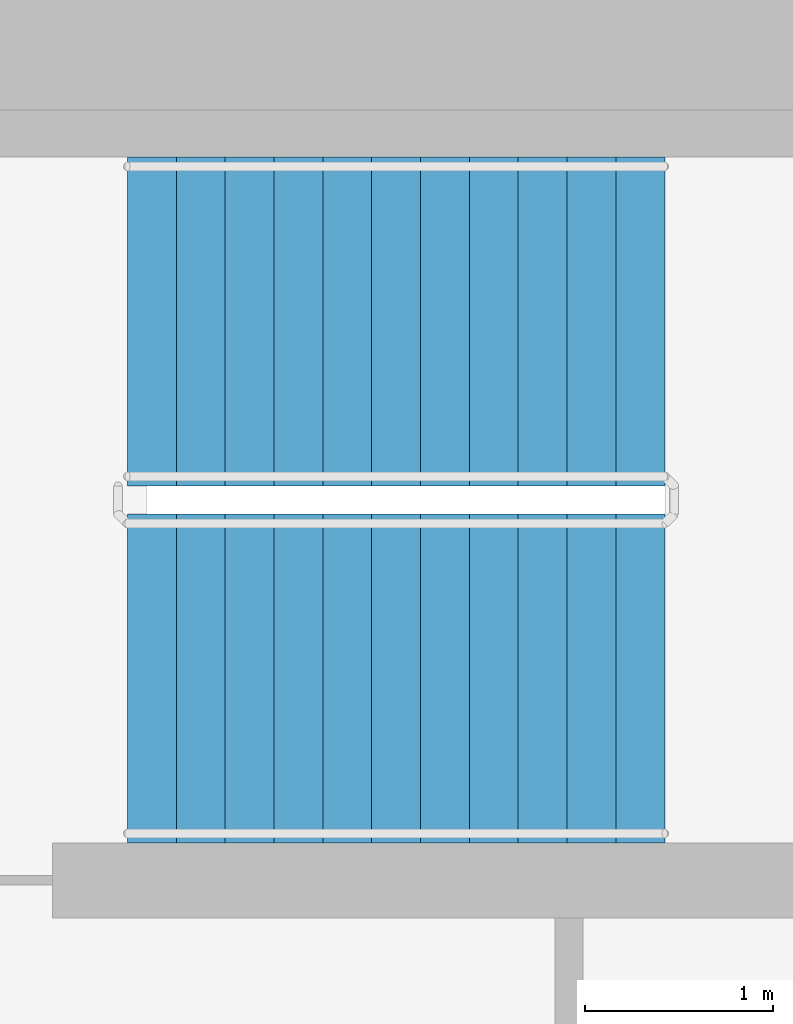
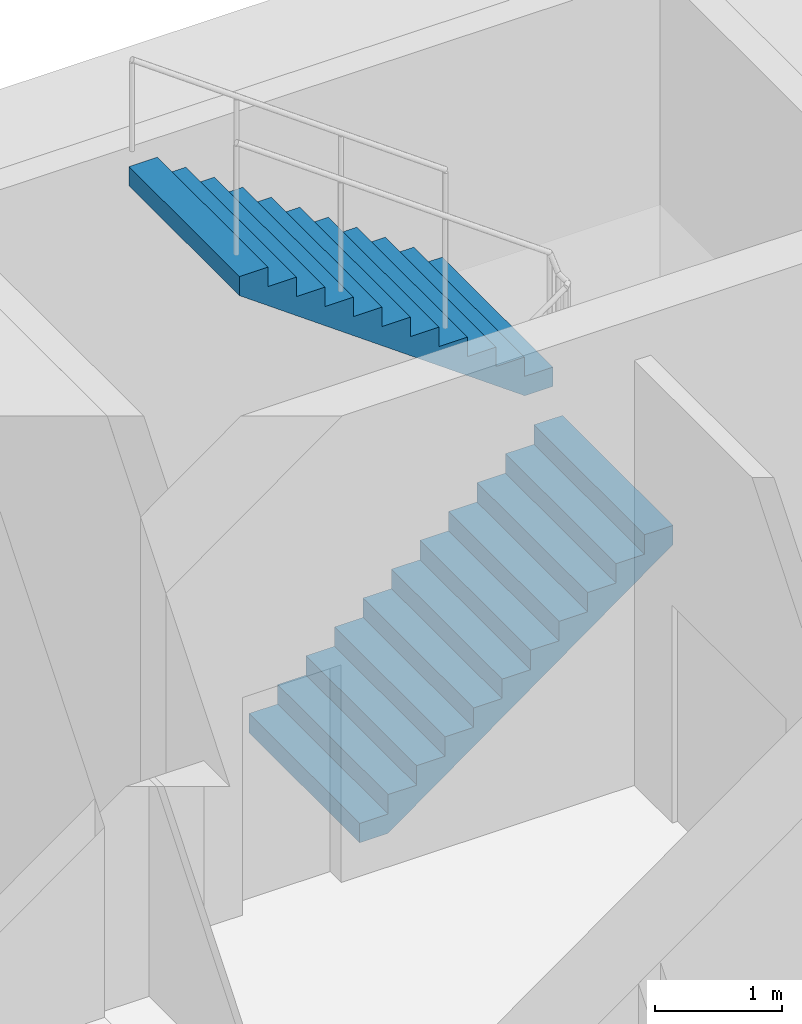
# One storey, part 17 of 20: 2 stair flights, 1 element without a shape of its own.
"""IFC4 building model written with IfcOpenShell, lengths in metres."""

from ifc_helpers import new_model, si_unit, direction, frame, origin, place, context, subcontext, project, spatial, faceted_brep, material, type_object, element, aggregate, save


model = new_model("IFC4")

# Units and contexts
model_context = context("Model", 3, precision=1e-05, world=origin(), true_north=direction((0.0, 1.0)))
body_context = subcontext(model_context, "Body", "Model", "MODEL_VIEW")
ifc_project = project(units=[si_unit("LENGTHUNIT", "METRE"), si_unit("AREAUNIT", "SQUARE_METRE"), si_unit("VOLUMEUNIT", "CUBIC_METRE"), si_unit("PLANEANGLEUNIT", "RADIAN"), si_unit("MASSUNIT", "GRAM", prefix="KILO")], contexts=[model_context])

# Site, building, storey
site_placement = place(None, origin())
site = spatial("IfcSite", under=ifc_project, at=site_placement, CompositionType="ELEMENT")
building_placement = place(site_placement, origin())
building = spatial("IfcBuilding", under=site, at=building_placement, Name="Ipe Terrace Towers", CompositionType="ELEMENT")
storey_placement = place(building_placement, frame((0.0, 0.0, 124.199951171875)))
storey = spatial("IfcBuildingStorey", under=building, at=storey_placement, Name="L34", CompositionType="ELEMENT", Elevation=124.199951171875)

# Stair, stair flights
ifc_material_1 = material(Name="Concrete C30/37", Category="concrete")
stair_type = type_object("IfcStairType", Name="Protected exit stair", PredefinedType="HALF_TURN_STAIR", material=ifc_material_1)
stair_placement = place(storey_placement, origin())
stair = element("IfcStair", 1, at=stair_placement, inside=storey, type_object=stair_type, Name="L34 Exit stair T1-C1", PredefinedType="HALF_TURN_STAIR")
ifc_material_2 = material(Name="Concrete C30/37", Category="concrete")
stair_flight_type = type_object("IfcStairFlightType", Name="Exit stair flight 1750", PredefinedType="STRAIGHT", material=ifc_material_2)
stair_flight_1_placement = place(storey_placement, frame((-26.300048828125, 2.77490234375, 0.0), z_axis=(0.0, 0.0, 1.0), x_axis=(1.0, 0.0, 0.0)))
stair_flight_1 = element("IfcStairFlight", 2, at=stair_flight_1_placement, type_object=stair_flight_type, Name="T1-ST1 flight 1", NumberOfRisers=12, NumberOfTreads=11, PredefinedType="STRAIGHT", RiserHeight=0.1875, TreadLength=0.26, context=body_context, shape_type="Brep", body=[
    faceted_brep([(0.25634765625, -0.875, 0.0), (2.860107421875, -0.875, 1.877685546875), (2.860107421875, -0.875, 2.0625), (2.60009765625, -0.875, 2.0625), (2.60009765625, -0.875, 1.875), (2.340087890625, -0.875, 1.875), (2.340087890625, -0.875, 1.6875), (2.080078125, -0.875, 1.6875), (2.080078125, -0.875, 1.5), (1.820068359375, -0.875, 1.5), (1.820068359375, -0.875, 1.3125), (1.56005859375, -0.875, 1.3125), (1.56005859375, -0.875, 1.125), (1.300048828125, -0.875, 1.125), (1.300048828125, -0.875, 0.9375), (1.0400390625, -0.875, 0.9375), (1.0400390625, -0.875, 0.75), (0.780029296875, -0.875, 0.75), (0.780029296875, -0.875, 0.5625), (0.52001953125, -0.875, 0.5625), (0.52001953125, -0.875, 0.375), (0.260009765625, -0.875, 0.375), (0.260009765625, -0.875, 0.1875), (0.0, -0.875, 0.1875), (0.0, -0.875, 0.0), (0.0, 0.875, 0.0), (0.0, 0.875, 0.1875), (0.260009765625, 0.875, 0.1875), (0.260009765625, 0.875, 0.375), (0.52001953125, 0.875, 0.375), (0.52001953125, 0.875, 0.5625), (0.780029296875, 0.875, 0.5625), (0.780029296875, 0.875, 0.75), (1.0400390625, 0.875, 0.75), (1.0400390625, 0.875, 0.9375), (1.300048828125, 0.875, 0.9375), (1.300048828125, 0.875, 1.125), (1.56005859375, 0.875, 1.125), (1.56005859375, 0.875, 1.3125), (1.820068359375, 0.875, 1.3125), (1.820068359375, 0.875, 1.5), (2.080078125, 0.875, 1.5), (2.080078125, 0.875, 1.6875), (2.340087890625, 0.875, 1.6875), (2.340087890625, 0.875, 1.875), (2.60009765625, 0.875, 1.875), (2.60009765625, 0.875, 2.0625), (2.860107421875, 0.875, 2.0625), (2.860107421875, 0.875, 1.877685546875), (0.25634765625, 0.875, 0.0), (0.0, -0.300048828125, 0.1875), (0.0, -0.1201171875, 0.1875), (0.0, -0.06005859375, 0.1875), (0.0, -0.030029296875, 0.1875), (0.0, -0.010009765625, 0.1875), (0.0, 0.0, 0.1875), (0.0, 0.010009765625, 0.1875), (0.0, 0.030029296875, 0.1875), (0.0, 0.06005859375, 0.1875), (0.0, 0.1201171875, 0.1875), (0.0, 0.300048828125, 0.1875), (0.0, 0.300048828125, 0.0), (0.0, 0.1201171875, 0.0), (0.0, 0.06005859375, 0.0), (0.0, 0.030029296875, 0.0), (0.0, 0.010009765625, 0.0), (0.0, 0.0, 0.0), (0.0, -0.010009765625, 0.0), (0.0, -0.030029296875, 0.0), (0.0, -0.06005859375, 0.0), (0.0, -0.1201171875, 0.0), (0.0, -0.300048828125, 0.0), (0.260009765625, -0.300048828125, 0.1875), (0.260009765625, -0.1201171875, 0.1875), (0.260009765625, -0.06005859375, 0.1875), (0.260009765625, -0.030029296875, 0.1875), (0.260009765625, -0.010009765625, 0.1875), (0.260009765625, 0.0, 0.1875), (0.260009765625, 0.010009765625, 0.1875), (0.260009765625, 0.030029296875, 0.1875), (0.260009765625, 0.06005859375, 0.1875), (0.260009765625, 0.1201171875, 0.1875), (0.260009765625, 0.300048828125, 0.1875), (0.260009765625, -0.300048828125, 0.375), (0.260009765625, -0.1201171875, 0.375), (0.260009765625, -0.06005859375, 0.375), (0.260009765625, -0.030029296875, 0.375), (0.260009765625, -0.010009765625, 0.375), (0.260009765625, 0.0, 0.375), (0.260009765625, 0.010009765625, 0.375), (0.260009765625, 0.030029296875, 0.375), (0.260009765625, 0.06005859375, 0.375), (0.260009765625, 0.1201171875, 0.375), (0.260009765625, 0.300048828125, 0.375), (0.52001953125, -0.300048828125, 0.375), (0.52001953125, -0.1201171875, 0.375), (0.52001953125, -0.06005859375, 0.375), (0.52001953125, -0.030029296875, 0.375), (0.52001953125, -0.010009765625, 0.375), (0.52001953125, 0.0, 0.375), (0.52001953125, 0.010009765625, 0.375), (0.52001953125, 0.030029296875, 0.375), (0.52001953125, 0.06005859375, 0.375), (0.52001953125, 0.1201171875, 0.375), (0.52001953125, 0.300048828125, 0.375), (0.52001953125, -0.300048828125, 0.5625), (0.52001953125, -0.1201171875, 0.5625), (0.52001953125, -0.06005859375, 0.5625), (0.52001953125, -0.030029296875, 0.5625), (0.52001953125, -0.010009765625, 0.5625), (0.52001953125, 0.0, 0.5625), (0.52001953125, 0.010009765625, 0.5625), (0.52001953125, 0.030029296875, 0.5625), (0.52001953125, 0.06005859375, 0.5625), (0.52001953125, 0.1201171875, 0.5625), (0.52001953125, 0.300048828125, 0.5625), (0.780029296875, -0.300048828125, 0.5625), (0.780029296875, -0.1201171875, 0.5625), (0.780029296875, -0.06005859375, 0.5625), (0.780029296875, -0.030029296875, 0.5625), (0.780029296875, -0.010009765625, 0.5625), (0.780029296875, 0.0, 0.5625), (0.780029296875, 0.010009765625, 0.5625), (0.780029296875, 0.030029296875, 0.5625), (0.780029296875, 0.06005859375, 0.5625), (0.780029296875, 0.1201171875, 0.5625), (0.780029296875, 0.300048828125, 0.5625), (0.780029296875, -0.300048828125, 0.75), (0.780029296875, -0.1201171875, 0.75), (0.780029296875, -0.06005859375, 0.75), (0.780029296875, -0.030029296875, 0.75), (0.780029296875, -0.010009765625, 0.75), (0.780029296875, 0.0, 0.75), (0.780029296875, 0.010009765625, 0.75), (0.780029296875, 0.030029296875, 0.75), (0.780029296875, 0.06005859375, 0.75), (0.780029296875, 0.1201171875, 0.75), (0.780029296875, 0.300048828125, 0.75), (1.0400390625, -0.300048828125, 0.75), (1.0400390625, -0.1201171875, 0.75), (1.0400390625, -0.06005859375, 0.75), (1.0400390625, -0.030029296875, 0.75), (1.0400390625, -0.010009765625, 0.75), (1.0400390625, 0.0, 0.75), (1.0400390625, 0.010009765625, 0.75), (1.0400390625, 0.030029296875, 0.75), (1.0400390625, 0.06005859375, 0.75), (1.0400390625, 0.1201171875, 0.75), (1.0400390625, 0.300048828125, 0.75), (1.0400390625, -0.300048828125, 0.9375), (1.0400390625, -0.1201171875, 0.9375), (1.0400390625, -0.06005859375, 0.9375), (1.0400390625, -0.030029296875, 0.9375), (1.0400390625, -0.010009765625, 0.9375), (1.0400390625, 0.0, 0.9375), (1.0400390625, 0.010009765625, 0.9375), (1.0400390625, 0.030029296875, 0.9375), (1.0400390625, 0.06005859375, 0.9375), (1.0400390625, 0.1201171875, 0.9375), (1.0400390625, 0.300048828125, 0.9375), (1.300048828125, -0.300048828125, 0.9375), (1.300048828125, -0.1201171875, 0.9375), (1.300048828125, -0.06005859375, 0.9375), (1.300048828125, -0.030029296875, 0.9375), (1.300048828125, -0.010009765625, 0.9375), (1.300048828125, 0.0, 0.9375), (1.300048828125, 0.010009765625, 0.9375), (1.300048828125, 0.030029296875, 0.9375), (1.300048828125, 0.06005859375, 0.9375), (1.300048828125, 0.1201171875, 0.9375), (1.300048828125, 0.300048828125, 0.9375), (1.300048828125, -0.300048828125, 1.125), (1.300048828125, -0.1201171875, 1.125), (1.300048828125, -0.06005859375, 1.125), (1.300048828125, -0.030029296875, 1.125), (1.300048828125, -0.010009765625, 1.125), (1.300048828125, 0.0, 1.125), (1.300048828125, 0.010009765625, 1.125), (1.300048828125, 0.030029296875, 1.125), (1.300048828125, 0.06005859375, 1.125), (1.300048828125, 0.1201171875, 1.125), (1.300048828125, 0.300048828125, 1.125), (1.56005859375, -0.300048828125, 1.125), (1.56005859375, -0.1201171875, 1.125), (1.56005859375, -0.06005859375, 1.125), (1.56005859375, -0.030029296875, 1.125), (1.56005859375, -0.010009765625, 1.125), (1.56005859375, 0.0, 1.125), (1.56005859375, 0.010009765625, 1.125), (1.56005859375, 0.030029296875, 1.125), (1.56005859375, 0.06005859375, 1.125), (1.56005859375, 0.1201171875, 1.125), (1.56005859375, 0.300048828125, 1.125), (1.56005859375, -0.300048828125, 1.3125), (1.56005859375, -0.1201171875, 1.3125), (1.56005859375, -0.06005859375, 1.3125), (1.56005859375, -0.030029296875, 1.3125), (1.56005859375, -0.010009765625, 1.3125), (1.56005859375, 0.0, 1.3125), (1.56005859375, 0.010009765625, 1.3125), (1.56005859375, 0.030029296875, 1.3125), (1.56005859375, 0.06005859375, 1.3125), (1.56005859375, 0.1201171875, 1.3125), (1.56005859375, 0.300048828125, 1.3125), (1.820068359375, -0.300048828125, 1.3125), (1.820068359375, -0.1201171875, 1.3125), (1.820068359375, -0.06005859375, 1.3125), (1.820068359375, -0.030029296875, 1.3125), (1.820068359375, -0.010009765625, 1.3125), (1.820068359375, 0.0, 1.3125), (1.820068359375, 0.010009765625, 1.3125), (1.820068359375, 0.030029296875, 1.3125), (1.820068359375, 0.06005859375, 1.3125), (1.820068359375, 0.1201171875, 1.3125), (1.820068359375, 0.300048828125, 1.3125), (1.820068359375, -0.300048828125, 1.5), (1.820068359375, -0.1201171875, 1.5), (1.820068359375, -0.06005859375, 1.5), (1.820068359375, -0.030029296875, 1.5), (1.820068359375, -0.010009765625, 1.5), (1.820068359375, 0.0, 1.5), (1.820068359375, 0.010009765625, 1.5), (1.820068359375, 0.030029296875, 1.5), (1.820068359375, 0.06005859375, 1.5), (1.820068359375, 0.1201171875, 1.5), (1.820068359375, 0.300048828125, 1.5), (2.080078125, -0.300048828125, 1.5), (2.080078125, -0.1201171875, 1.5), (2.080078125, -0.06005859375, 1.5), (2.080078125, -0.030029296875, 1.5), (2.080078125, -0.010009765625, 1.5), (2.080078125, 0.0, 1.5), (2.080078125, 0.010009765625, 1.5), (2.080078125, 0.030029296875, 1.5), (2.080078125, 0.06005859375, 1.5), (2.080078125, 0.1201171875, 1.5), (2.080078125, 0.300048828125, 1.5), (2.080078125, -0.300048828125, 1.6875), (2.080078125, -0.1201171875, 1.6875), (2.080078125, -0.06005859375, 1.6875), (2.080078125, -0.030029296875, 1.6875), (2.080078125, -0.010009765625, 1.6875), (2.080078125, 0.0, 1.6875), (2.080078125, 0.010009765625, 1.6875), (2.080078125, 0.030029296875, 1.6875), (2.080078125, 0.06005859375, 1.6875), (2.080078125, 0.1201171875, 1.6875), (2.080078125, 0.300048828125, 1.6875), (2.340087890625, -0.300048828125, 1.6875), (2.340087890625, -0.1201171875, 1.6875), (2.340087890625, -0.06005859375, 1.6875), (2.340087890625, -0.030029296875, 1.6875), (2.340087890625, -0.010009765625, 1.6875), (2.340087890625, 0.0, 1.6875), (2.340087890625, 0.010009765625, 1.6875), (2.340087890625, 0.030029296875, 1.6875), (2.340087890625, 0.06005859375, 1.6875), (2.340087890625, 0.1201171875, 1.6875), (2.340087890625, 0.300048828125, 1.6875), (2.340087890625, -0.300048828125, 1.875), (2.340087890625, -0.1201171875, 1.875), (2.340087890625, -0.06005859375, 1.875), (2.340087890625, -0.030029296875, 1.875), (2.340087890625, -0.010009765625, 1.875), (2.340087890625, 0.0, 1.875), (2.340087890625, 0.010009765625, 1.875), (2.340087890625, 0.030029296875, 1.875), (2.340087890625, 0.06005859375, 1.875), (2.340087890625, 0.1201171875, 1.875), (2.340087890625, 0.300048828125, 1.875), (2.60009765625, -0.300048828125, 1.875), (2.60009765625, -0.1201171875, 1.875), (2.60009765625, -0.06005859375, 1.875), (2.60009765625, -0.030029296875, 1.875), (2.60009765625, -0.010009765625, 1.875), (2.60009765625, 0.0, 1.875), (2.60009765625, 0.010009765625, 1.875), (2.60009765625, 0.030029296875, 1.875), (2.60009765625, 0.06005859375, 1.875), (2.60009765625, 0.1201171875, 1.875), (2.60009765625, 0.300048828125, 1.875), (2.60009765625, -0.300048828125, 2.0625), (2.60009765625, -0.1201171875, 2.0625), (2.60009765625, -0.06005859375, 2.0625), (2.60009765625, -0.030029296875, 2.0625), (2.60009765625, -0.010009765625, 2.0625), (2.60009765625, 0.0, 2.0625), (2.60009765625, 0.010009765625, 2.0625), (2.60009765625, 0.030029296875, 2.0625), (2.60009765625, 0.06005859375, 2.0625), (2.60009765625, 0.1201171875, 2.0625), (2.60009765625, 0.300048828125, 2.0625), (2.860107421875, -0.300048828125, 2.0625), (2.860107421875, -0.1201171875, 2.0625), (2.860107421875, -0.06005859375, 2.0625), (2.860107421875, -0.030029296875, 2.0625), (2.860107421875, -0.010009765625, 2.0625), (2.860107421875, 0.0, 2.0625), (2.860107421875, 0.010009765625, 2.0625), (2.860107421875, 0.030029296875, 2.0625), (2.860107421875, 0.06005859375, 2.0625), (2.860107421875, 0.1201171875, 2.0625), (2.860107421875, 0.300048828125, 2.0625), (2.860107421875, -0.300048828125, 1.877685546875), (2.860107421875, -0.1201171875, 1.877685546875), (2.860107421875, -0.06005859375, 1.877685546875), (2.860107421875, -0.030029296875, 1.877685546875), (2.860107421875, -0.010009765625, 1.877685546875), (2.860107421875, 0.0, 1.877685546875), (2.860107421875, 0.010009765625, 1.877685546875), (2.860107421875, 0.030029296875, 1.877685546875), (2.860107421875, 0.06005859375, 1.877685546875), (2.860107421875, 0.1201171875, 1.877685546875), (2.860107421875, 0.300048828125, 1.877685546875), (0.25634765625, -0.300048828125, 0.0), (0.25634765625, -0.1201171875, 0.0), (0.25634765625, -0.06005859375, 0.0), (0.25634765625, -0.030029296875, 0.0), (0.25634765625, -0.010009765625, 0.0), (0.25634765625, 0.0, 0.0), (0.25634765625, 0.010009765625, 0.0), (0.25634765625, 0.030029296875, 0.0), (0.25634765625, 0.06005859375, 0.0), (0.25634765625, 0.1201171875, 0.0), (0.25634765625, 0.300048828125, 0.0)], [[[0, 1, 2, 3, 4, 5, 6, 7, 8, 9, 10, 11, 12, 13, 14, 15, 16, 17, 18, 19, 20, 21, 22, 23, 24]], [[25, 26, 27, 28, 29, 30, 31, 32, 33, 34, 35, 36, 37, 38, 39, 40, 41, 42, 43, 44, 45, 46, 47, 48, 49]], [[23, 50, 51, 52, 53, 54, 55, 56, 57, 58, 59, 60, 26, 25, 61, 62, 63, 64, 65, 66, 67, 68, 69, 70, 71, 24]], [[22, 72, 73, 74, 75, 76, 77, 78, 79, 80, 81, 82, 27, 26, 60, 59, 58, 57, 56, 55, 54, 53, 52, 51, 50, 23]], [[21, 83, 84, 85, 86, 87, 88, 89, 90, 91, 92, 93, 28, 27, 82, 81, 80, 79, 78, 77, 76, 75, 74, 73, 72, 22]], [[20, 94, 95, 96, 97, 98, 99, 100, 101, 102, 103, 104, 29, 28, 93, 92, 91, 90, 89, 88, 87, 86, 85, 84, 83, 21]], [[19, 105, 106, 107, 108, 109, 110, 111, 112, 113, 114, 115, 30, 29, 104, 103, 102, 101, 100, 99, 98, 97, 96, 95, 94, 20]], [[18, 116, 117, 118, 119, 120, 121, 122, 123, 124, 125, 126, 31, 30, 115, 114, 113, 112, 111, 110, 109, 108, 107, 106, 105, 19]], [[17, 127, 128, 129, 130, 131, 132, 133, 134, 135, 136, 137, 32, 31, 126, 125, 124, 123, 122, 121, 120, 119, 118, 117, 116, 18]], [[16, 138, 139, 140, 141, 142, 143, 144, 145, 146, 147, 148, 33, 32, 137, 136, 135, 134, 133, 132, 131, 130, 129, 128, 127, 17]], [[15, 149, 150, 151, 152, 153, 154, 155, 156, 157, 158, 159, 34, 33, 148, 147, 146, 145, 144, 143, 142, 141, 140, 139, 138, 16]], [[14, 160, 161, 162, 163, 164, 165, 166, 167, 168, 169, 170, 35, 34, 159, 158, 157, 156, 155, 154, 153, 152, 151, 150, 149, 15]], [[13, 171, 172, 173, 174, 175, 176, 177, 178, 179, 180, 181, 36, 35, 170, 169, 168, 167, 166, 165, 164, 163, 162, 161, 160, 14]], [[12, 182, 183, 184, 185, 186, 187, 188, 189, 190, 191, 192, 37, 36, 181, 180, 179, 178, 177, 176, 175, 174, 173, 172, 171, 13]], [[11, 193, 194, 195, 196, 197, 198, 199, 200, 201, 202, 203, 38, 37, 192, 191, 190, 189, 188, 187, 186, 185, 184, 183, 182, 12]], [[10, 204, 205, 206, 207, 208, 209, 210, 211, 212, 213, 214, 39, 38, 203, 202, 201, 200, 199, 198, 197, 196, 195, 194, 193, 11]], [[9, 215, 216, 217, 218, 219, 220, 221, 222, 223, 224, 225, 40, 39, 214, 213, 212, 211, 210, 209, 208, 207, 206, 205, 204, 10]], [[8, 226, 227, 228, 229, 230, 231, 232, 233, 234, 235, 236, 41, 40, 225, 224, 223, 222, 221, 220, 219, 218, 217, 216, 215, 9]], [[7, 237, 238, 239, 240, 241, 242, 243, 244, 245, 246, 247, 42, 41, 236, 235, 234, 233, 232, 231, 230, 229, 228, 227, 226, 8]], [[6, 248, 249, 250, 251, 252, 253, 254, 255, 256, 257, 258, 43, 42, 247, 246, 245, 244, 243, 242, 241, 240, 239, 238, 237, 7]], [[5, 259, 260, 261, 262, 263, 264, 265, 266, 267, 268, 269, 44, 43, 258, 257, 256, 255, 254, 253, 252, 251, 250, 249, 248, 6]], [[4, 270, 271, 272, 273, 274, 275, 276, 277, 278, 279, 280, 45, 44, 269, 268, 267, 266, 265, 264, 263, 262, 261, 260, 259, 5]], [[3, 281, 282, 283, 284, 285, 286, 287, 288, 289, 290, 291, 46, 45, 280, 279, 278, 277, 276, 275, 274, 273, 272, 271, 270, 4]], [[2, 292, 293, 294, 295, 296, 297, 298, 299, 300, 301, 302, 47, 46, 291, 290, 289, 288, 287, 286, 285, 284, 283, 282, 281, 3]], [[1, 303, 304, 305, 306, 307, 308, 309, 310, 311, 312, 313, 48, 47, 302, 301, 300, 299, 298, 297, 296, 295, 294, 293, 292, 2]], [[0, 314, 315, 316, 317, 318, 319, 320, 321, 322, 323, 324, 49, 48, 313, 312, 311, 310, 309, 308, 307, 306, 305, 304, 303, 1]], [[24, 71, 70, 69, 68, 67, 66, 65, 64, 63, 62, 61, 25, 49, 324, 323, 322, 321, 320, 319, 318, 317, 316, 315, 314, 0]]]),
])
stair_flight_2_placement = place(storey_placement, frame((-23.43994140625, 4.675048828125, 2.25), z_axis=(0.0, 0.0, 1.0), x_axis=(-1.0, 0.0, 0.0)))
stair_flight_2 = element("IfcStairFlight", 3, at=stair_flight_2_placement, type_object=stair_flight_type, Name="T1-ST1 flight 2", NumberOfRisers=12, NumberOfTreads=11, PredefinedType="STRAIGHT", RiserHeight=0.1875, TreadLength=0.26, context=body_context, shape_type="Brep", body=[
    faceted_brep([(0.25634765625, -0.875, 0.0), (2.860107421875, -0.875, 1.877685546875), (2.860107421875, -0.875, 2.0625), (2.60009765625, -0.875, 2.0625), (2.60009765625, -0.875, 1.875), (2.340087890625, -0.875, 1.875), (2.340087890625, -0.875, 1.6875), (2.080078125, -0.875, 1.6875), (2.080078125, -0.875, 1.5), (1.820068359375, -0.875, 1.5), (1.820068359375, -0.875, 1.3125), (1.56005859375, -0.875, 1.3125), (1.56005859375, -0.875, 1.125), (1.300048828125, -0.875, 1.125), (1.300048828125, -0.875, 0.9375), (1.0400390625, -0.875, 0.9375), (1.0400390625, -0.875, 0.75), (0.780029296875, -0.875, 0.75), (0.780029296875, -0.875, 0.5625), (0.52001953125, -0.875, 0.5625), (0.52001953125, -0.875, 0.375), (0.260009765625, -0.875, 0.375), (0.260009765625, -0.875, 0.1875), (0.0, -0.875, 0.1875), (0.0, -0.875, 0.0), (0.0, 0.875, 0.0), (0.0, 0.875, 0.1875), (0.260009765625, 0.875, 0.1875), (0.260009765625, 0.875, 0.375), (0.52001953125, 0.875, 0.375), (0.52001953125, 0.875, 0.5625), (0.780029296875, 0.875, 0.5625), (0.780029296875, 0.875, 0.75), (1.0400390625, 0.875, 0.75), (1.0400390625, 0.875, 0.9375), (1.300048828125, 0.875, 0.9375), (1.300048828125, 0.875, 1.125), (1.56005859375, 0.875, 1.125), (1.56005859375, 0.875, 1.3125), (1.820068359375, 0.875, 1.3125), (1.820068359375, 0.875, 1.5), (2.080078125, 0.875, 1.5), (2.080078125, 0.875, 1.6875), (2.340087890625, 0.875, 1.6875), (2.340087890625, 0.875, 1.875), (2.60009765625, 0.875, 1.875), (2.60009765625, 0.875, 2.0625), (2.860107421875, 0.875, 2.0625), (2.860107421875, 0.875, 1.877685546875), (0.25634765625, 0.875, 0.0), (0.0, -0.300048828125, 0.1875), (0.0, -0.1201171875, 0.1875), (0.0, -0.06005859375, 0.1875), (0.0, -0.030029296875, 0.1875), (0.0, -0.010009765625, 0.1875), (0.0, 0.0, 0.1875), (0.0, 0.010009765625, 0.1875), (0.0, 0.030029296875, 0.1875), (0.0, 0.06005859375, 0.1875), (0.0, 0.1201171875, 0.1875), (0.0, 0.300048828125, 0.1875), (0.0, 0.300048828125, 0.0), (0.0, 0.1201171875, 0.0), (0.0, 0.06005859375, 0.0), (0.0, 0.030029296875, 0.0), (0.0, 0.010009765625, 0.0), (0.0, 0.0, 0.0), (0.0, -0.010009765625, 0.0), (0.0, -0.030029296875, 0.0), (0.0, -0.06005859375, 0.0), (0.0, -0.1201171875, 0.0), (0.0, -0.300048828125, 0.0), (0.260009765625, -0.300048828125, 0.1875), (0.260009765625, -0.1201171875, 0.1875), (0.260009765625, -0.06005859375, 0.1875), (0.260009765625, -0.030029296875, 0.1875), (0.260009765625, -0.010009765625, 0.1875), (0.260009765625, 0.0, 0.1875), (0.260009765625, 0.010009765625, 0.1875), (0.260009765625, 0.030029296875, 0.1875), (0.260009765625, 0.06005859375, 0.1875), (0.260009765625, 0.1201171875, 0.1875), (0.260009765625, 0.300048828125, 0.1875), (0.260009765625, -0.300048828125, 0.375), (0.260009765625, -0.1201171875, 0.375), (0.260009765625, -0.06005859375, 0.375), (0.260009765625, -0.030029296875, 0.375), (0.260009765625, -0.010009765625, 0.375), (0.260009765625, 0.0, 0.375), (0.260009765625, 0.010009765625, 0.375), (0.260009765625, 0.030029296875, 0.375), (0.260009765625, 0.06005859375, 0.375), (0.260009765625, 0.1201171875, 0.375), (0.260009765625, 0.300048828125, 0.375), (0.52001953125, -0.300048828125, 0.375), (0.52001953125, -0.1201171875, 0.375), (0.52001953125, -0.06005859375, 0.375), (0.52001953125, -0.030029296875, 0.375), (0.52001953125, -0.010009765625, 0.375), (0.52001953125, 0.0, 0.375), (0.52001953125, 0.010009765625, 0.375), (0.52001953125, 0.030029296875, 0.375), (0.52001953125, 0.06005859375, 0.375), (0.52001953125, 0.1201171875, 0.375), (0.52001953125, 0.300048828125, 0.375), (0.52001953125, -0.300048828125, 0.5625), (0.52001953125, -0.1201171875, 0.5625), (0.52001953125, -0.06005859375, 0.5625), (0.52001953125, -0.030029296875, 0.5625), (0.52001953125, -0.010009765625, 0.5625), (0.52001953125, 0.0, 0.5625), (0.52001953125, 0.010009765625, 0.5625), (0.52001953125, 0.030029296875, 0.5625), (0.52001953125, 0.06005859375, 0.5625), (0.52001953125, 0.1201171875, 0.5625), (0.52001953125, 0.300048828125, 0.5625), (0.780029296875, -0.300048828125, 0.5625), (0.780029296875, -0.1201171875, 0.5625), (0.780029296875, -0.06005859375, 0.5625), (0.780029296875, -0.030029296875, 0.5625), (0.780029296875, -0.010009765625, 0.5625), (0.780029296875, 0.0, 0.5625), (0.780029296875, 0.010009765625, 0.5625), (0.780029296875, 0.030029296875, 0.5625), (0.780029296875, 0.06005859375, 0.5625), (0.780029296875, 0.1201171875, 0.5625), (0.780029296875, 0.300048828125, 0.5625), (0.780029296875, -0.300048828125, 0.75), (0.780029296875, -0.1201171875, 0.75), (0.780029296875, -0.06005859375, 0.75), (0.780029296875, -0.030029296875, 0.75), (0.780029296875, -0.010009765625, 0.75), (0.780029296875, 0.0, 0.75), (0.780029296875, 0.010009765625, 0.75), (0.780029296875, 0.030029296875, 0.75), (0.780029296875, 0.06005859375, 0.75), (0.780029296875, 0.1201171875, 0.75), (0.780029296875, 0.300048828125, 0.75), (1.0400390625, -0.300048828125, 0.75), (1.0400390625, -0.1201171875, 0.75), (1.0400390625, -0.06005859375, 0.75), (1.0400390625, -0.030029296875, 0.75), (1.0400390625, -0.010009765625, 0.75), (1.0400390625, 0.0, 0.75), (1.0400390625, 0.010009765625, 0.75), (1.0400390625, 0.030029296875, 0.75), (1.0400390625, 0.06005859375, 0.75), (1.0400390625, 0.1201171875, 0.75), (1.0400390625, 0.300048828125, 0.75), (1.0400390625, -0.300048828125, 0.9375), (1.0400390625, -0.1201171875, 0.9375), (1.0400390625, -0.06005859375, 0.9375), (1.0400390625, -0.030029296875, 0.9375), (1.0400390625, -0.010009765625, 0.9375), (1.0400390625, 0.0, 0.9375), (1.0400390625, 0.010009765625, 0.9375), (1.0400390625, 0.030029296875, 0.9375), (1.0400390625, 0.06005859375, 0.9375), (1.0400390625, 0.1201171875, 0.9375), (1.0400390625, 0.300048828125, 0.9375), (1.300048828125, -0.300048828125, 0.9375), (1.300048828125, -0.1201171875, 0.9375), (1.300048828125, -0.06005859375, 0.9375), (1.300048828125, -0.030029296875, 0.9375), (1.300048828125, -0.010009765625, 0.9375), (1.300048828125, 0.0, 0.9375), (1.300048828125, 0.010009765625, 0.9375), (1.300048828125, 0.030029296875, 0.9375), (1.300048828125, 0.06005859375, 0.9375), (1.300048828125, 0.1201171875, 0.9375), (1.300048828125, 0.300048828125, 0.9375), (1.300048828125, -0.300048828125, 1.125), (1.300048828125, -0.1201171875, 1.125), (1.300048828125, -0.06005859375, 1.125), (1.300048828125, -0.030029296875, 1.125), (1.300048828125, -0.010009765625, 1.125), (1.300048828125, 0.0, 1.125), (1.300048828125, 0.010009765625, 1.125), (1.300048828125, 0.030029296875, 1.125), (1.300048828125, 0.06005859375, 1.125), (1.300048828125, 0.1201171875, 1.125), (1.300048828125, 0.300048828125, 1.125), (1.56005859375, -0.300048828125, 1.125), (1.56005859375, -0.1201171875, 1.125), (1.56005859375, -0.06005859375, 1.125), (1.56005859375, -0.030029296875, 1.125), (1.56005859375, -0.010009765625, 1.125), (1.56005859375, 0.0, 1.125), (1.56005859375, 0.010009765625, 1.125), (1.56005859375, 0.030029296875, 1.125), (1.56005859375, 0.06005859375, 1.125), (1.56005859375, 0.1201171875, 1.125), (1.56005859375, 0.300048828125, 1.125), (1.56005859375, -0.300048828125, 1.3125), (1.56005859375, -0.1201171875, 1.3125), (1.56005859375, -0.06005859375, 1.3125), (1.56005859375, -0.030029296875, 1.3125), (1.56005859375, -0.010009765625, 1.3125), (1.56005859375, 0.0, 1.3125), (1.56005859375, 0.010009765625, 1.3125), (1.56005859375, 0.030029296875, 1.3125), (1.56005859375, 0.06005859375, 1.3125), (1.56005859375, 0.1201171875, 1.3125), (1.56005859375, 0.300048828125, 1.3125), (1.820068359375, -0.300048828125, 1.3125), (1.820068359375, -0.1201171875, 1.3125), (1.820068359375, -0.06005859375, 1.3125), (1.820068359375, -0.030029296875, 1.3125), (1.820068359375, -0.010009765625, 1.3125), (1.820068359375, 0.0, 1.3125), (1.820068359375, 0.010009765625, 1.3125), (1.820068359375, 0.030029296875, 1.3125), (1.820068359375, 0.06005859375, 1.3125), (1.820068359375, 0.1201171875, 1.3125), (1.820068359375, 0.300048828125, 1.3125), (1.820068359375, -0.300048828125, 1.5), (1.820068359375, -0.1201171875, 1.5), (1.820068359375, -0.06005859375, 1.5), (1.820068359375, -0.030029296875, 1.5), (1.820068359375, -0.010009765625, 1.5), (1.820068359375, 0.0, 1.5), (1.820068359375, 0.010009765625, 1.5), (1.820068359375, 0.030029296875, 1.5), (1.820068359375, 0.06005859375, 1.5), (1.820068359375, 0.1201171875, 1.5), (1.820068359375, 0.300048828125, 1.5), (2.080078125, -0.300048828125, 1.5), (2.080078125, -0.1201171875, 1.5), (2.080078125, -0.06005859375, 1.5), (2.080078125, -0.030029296875, 1.5), (2.080078125, -0.010009765625, 1.5), (2.080078125, 0.0, 1.5), (2.080078125, 0.010009765625, 1.5), (2.080078125, 0.030029296875, 1.5), (2.080078125, 0.06005859375, 1.5), (2.080078125, 0.1201171875, 1.5), (2.080078125, 0.300048828125, 1.5), (2.080078125, -0.300048828125, 1.6875), (2.080078125, -0.1201171875, 1.6875), (2.080078125, -0.06005859375, 1.6875), (2.080078125, -0.030029296875, 1.6875), (2.080078125, -0.010009765625, 1.6875), (2.080078125, 0.0, 1.6875), (2.080078125, 0.010009765625, 1.6875), (2.080078125, 0.030029296875, 1.6875), (2.080078125, 0.06005859375, 1.6875), (2.080078125, 0.1201171875, 1.6875), (2.080078125, 0.300048828125, 1.6875), (2.340087890625, -0.300048828125, 1.6875), (2.340087890625, -0.1201171875, 1.6875), (2.340087890625, -0.06005859375, 1.6875), (2.340087890625, -0.030029296875, 1.6875), (2.340087890625, -0.010009765625, 1.6875), (2.340087890625, 0.0, 1.6875), (2.340087890625, 0.010009765625, 1.6875), (2.340087890625, 0.030029296875, 1.6875), (2.340087890625, 0.06005859375, 1.6875), (2.340087890625, 0.1201171875, 1.6875), (2.340087890625, 0.300048828125, 1.6875), (2.340087890625, -0.300048828125, 1.875), (2.340087890625, -0.1201171875, 1.875), (2.340087890625, -0.06005859375, 1.875), (2.340087890625, -0.030029296875, 1.875), (2.340087890625, -0.010009765625, 1.875), (2.340087890625, 0.0, 1.875), (2.340087890625, 0.010009765625, 1.875), (2.340087890625, 0.030029296875, 1.875), (2.340087890625, 0.06005859375, 1.875), (2.340087890625, 0.1201171875, 1.875), (2.340087890625, 0.300048828125, 1.875), (2.60009765625, -0.300048828125, 1.875), (2.60009765625, -0.1201171875, 1.875), (2.60009765625, -0.06005859375, 1.875), (2.60009765625, -0.030029296875, 1.875), (2.60009765625, -0.010009765625, 1.875), (2.60009765625, 0.0, 1.875), (2.60009765625, 0.010009765625, 1.875), (2.60009765625, 0.030029296875, 1.875), (2.60009765625, 0.06005859375, 1.875), (2.60009765625, 0.1201171875, 1.875), (2.60009765625, 0.300048828125, 1.875), (2.60009765625, -0.300048828125, 2.0625), (2.60009765625, -0.1201171875, 2.0625), (2.60009765625, -0.06005859375, 2.0625), (2.60009765625, -0.030029296875, 2.0625), (2.60009765625, -0.010009765625, 2.0625), (2.60009765625, 0.0, 2.0625), (2.60009765625, 0.010009765625, 2.0625), (2.60009765625, 0.030029296875, 2.0625), (2.60009765625, 0.06005859375, 2.0625), (2.60009765625, 0.1201171875, 2.0625), (2.60009765625, 0.300048828125, 2.0625), (2.860107421875, -0.300048828125, 2.0625), (2.860107421875, -0.1201171875, 2.0625), (2.860107421875, -0.06005859375, 2.0625), (2.860107421875, -0.030029296875, 2.0625), (2.860107421875, -0.010009765625, 2.0625), (2.860107421875, 0.0, 2.0625), (2.860107421875, 0.010009765625, 2.0625), (2.860107421875, 0.030029296875, 2.0625), (2.860107421875, 0.06005859375, 2.0625), (2.860107421875, 0.1201171875, 2.0625), (2.860107421875, 0.300048828125, 2.0625), (2.860107421875, -0.300048828125, 1.877685546875), (2.860107421875, -0.1201171875, 1.877685546875), (2.860107421875, -0.06005859375, 1.877685546875), (2.860107421875, -0.030029296875, 1.877685546875), (2.860107421875, -0.010009765625, 1.877685546875), (2.860107421875, 0.0, 1.877685546875), (2.860107421875, 0.010009765625, 1.877685546875), (2.860107421875, 0.030029296875, 1.877685546875), (2.860107421875, 0.06005859375, 1.877685546875), (2.860107421875, 0.1201171875, 1.877685546875), (2.860107421875, 0.300048828125, 1.877685546875), (0.25634765625, -0.300048828125, 0.0), (0.25634765625, -0.1201171875, 0.0), (0.25634765625, -0.06005859375, 0.0), (0.25634765625, -0.030029296875, 0.0), (0.25634765625, -0.010009765625, 0.0), (0.25634765625, 0.0, 0.0), (0.25634765625, 0.010009765625, 0.0), (0.25634765625, 0.030029296875, 0.0), (0.25634765625, 0.06005859375, 0.0), (0.25634765625, 0.1201171875, 0.0), (0.25634765625, 0.300048828125, 0.0)], [[[0, 1, 2, 3, 4, 5, 6, 7, 8, 9, 10, 11, 12, 13, 14, 15, 16, 17, 18, 19, 20, 21, 22, 23, 24]], [[25, 26, 27, 28, 29, 30, 31, 32, 33, 34, 35, 36, 37, 38, 39, 40, 41, 42, 43, 44, 45, 46, 47, 48, 49]], [[23, 50, 51, 52, 53, 54, 55, 56, 57, 58, 59, 60, 26, 25, 61, 62, 63, 64, 65, 66, 67, 68, 69, 70, 71, 24]], [[22, 72, 73, 74, 75, 76, 77, 78, 79, 80, 81, 82, 27, 26, 60, 59, 58, 57, 56, 55, 54, 53, 52, 51, 50, 23]], [[21, 83, 84, 85, 86, 87, 88, 89, 90, 91, 92, 93, 28, 27, 82, 81, 80, 79, 78, 77, 76, 75, 74, 73, 72, 22]], [[20, 94, 95, 96, 97, 98, 99, 100, 101, 102, 103, 104, 29, 28, 93, 92, 91, 90, 89, 88, 87, 86, 85, 84, 83, 21]], [[19, 105, 106, 107, 108, 109, 110, 111, 112, 113, 114, 115, 30, 29, 104, 103, 102, 101, 100, 99, 98, 97, 96, 95, 94, 20]], [[18, 116, 117, 118, 119, 120, 121, 122, 123, 124, 125, 126, 31, 30, 115, 114, 113, 112, 111, 110, 109, 108, 107, 106, 105, 19]], [[17, 127, 128, 129, 130, 131, 132, 133, 134, 135, 136, 137, 32, 31, 126, 125, 124, 123, 122, 121, 120, 119, 118, 117, 116, 18]], [[16, 138, 139, 140, 141, 142, 143, 144, 145, 146, 147, 148, 33, 32, 137, 136, 135, 134, 133, 132, 131, 130, 129, 128, 127, 17]], [[15, 149, 150, 151, 152, 153, 154, 155, 156, 157, 158, 159, 34, 33, 148, 147, 146, 145, 144, 143, 142, 141, 140, 139, 138, 16]], [[14, 160, 161, 162, 163, 164, 165, 166, 167, 168, 169, 170, 35, 34, 159, 158, 157, 156, 155, 154, 153, 152, 151, 150, 149, 15]], [[13, 171, 172, 173, 174, 175, 176, 177, 178, 179, 180, 181, 36, 35, 170, 169, 168, 167, 166, 165, 164, 163, 162, 161, 160, 14]], [[12, 182, 183, 184, 185, 186, 187, 188, 189, 190, 191, 192, 37, 36, 181, 180, 179, 178, 177, 176, 175, 174, 173, 172, 171, 13]], [[11, 193, 194, 195, 196, 197, 198, 199, 200, 201, 202, 203, 38, 37, 192, 191, 190, 189, 188, 187, 186, 185, 184, 183, 182, 12]], [[10, 204, 205, 206, 207, 208, 209, 210, 211, 212, 213, 214, 39, 38, 203, 202, 201, 200, 199, 198, 197, 196, 195, 194, 193, 11]], [[9, 215, 216, 217, 218, 219, 220, 221, 222, 223, 224, 225, 40, 39, 214, 213, 212, 211, 210, 209, 208, 207, 206, 205, 204, 10]], [[8, 226, 227, 228, 229, 230, 231, 232, 233, 234, 235, 236, 41, 40, 225, 224, 223, 222, 221, 220, 219, 218, 217, 216, 215, 9]], [[7, 237, 238, 239, 240, 241, 242, 243, 244, 245, 246, 247, 42, 41, 236, 235, 234, 233, 232, 231, 230, 229, 228, 227, 226, 8]], [[6, 248, 249, 250, 251, 252, 253, 254, 255, 256, 257, 258, 43, 42, 247, 246, 245, 244, 243, 242, 241, 240, 239, 238, 237, 7]], [[5, 259, 260, 261, 262, 263, 264, 265, 266, 267, 268, 269, 44, 43, 258, 257, 256, 255, 254, 253, 252, 251, 250, 249, 248, 6]], [[4, 270, 271, 272, 273, 274, 275, 276, 277, 278, 279, 280, 45, 44, 269, 268, 267, 266, 265, 264, 263, 262, 261, 260, 259, 5]], [[3, 281, 282, 283, 284, 285, 286, 287, 288, 289, 290, 291, 46, 45, 280, 279, 278, 277, 276, 275, 274, 273, 272, 271, 270, 4]], [[2, 292, 293, 294, 295, 296, 297, 298, 299, 300, 301, 302, 47, 46, 291, 290, 289, 288, 287, 286, 285, 284, 283, 282, 281, 3]], [[1, 303, 304, 305, 306, 307, 308, 309, 310, 311, 312, 313, 48, 47, 302, 301, 300, 299, 298, 297, 296, 295, 294, 293, 292, 2]], [[0, 314, 315, 316, 317, 318, 319, 320, 321, 322, 323, 324, 49, 48, 313, 312, 311, 310, 309, 308, 307, 306, 305, 304, 303, 1]], [[24, 71, 70, 69, 68, 67, 66, 65, 64, 63, 62, 61, 25, 49, 324, 323, 322, 321, 320, 319, 318, 317, 316, 315, 314, 0]]]),
])
aggregate(stair, [stair_flight_1, stair_flight_2])

save(model, "model.ifc")
